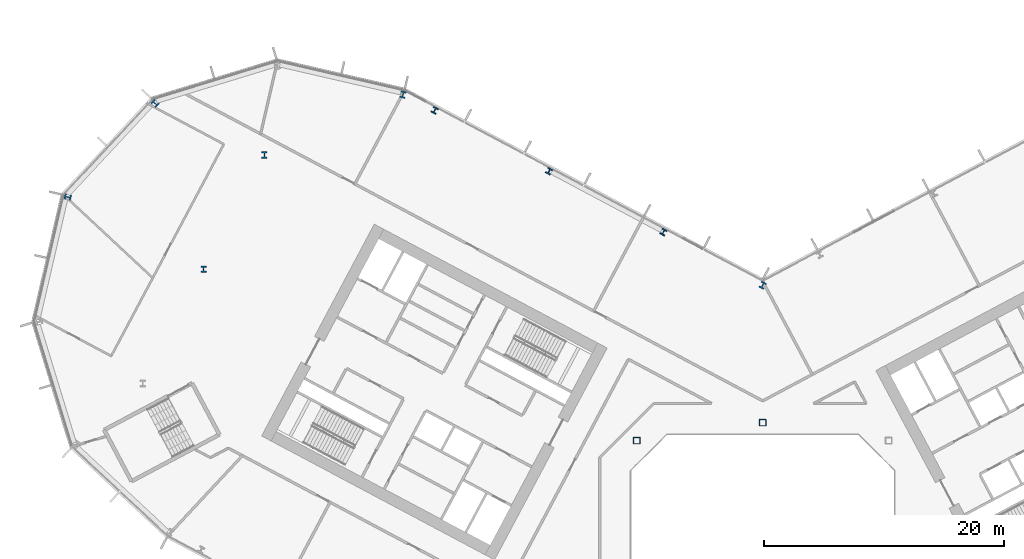
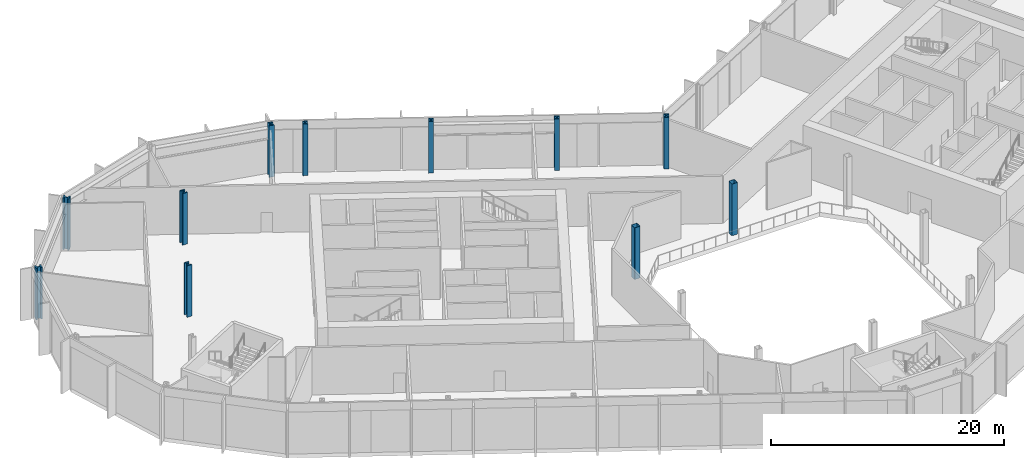
# One storey, part 2 of 32: 11 columns.
"""IFC4 building model written with IfcOpenShell, lengths in metres."""

from ifc_helpers import new_model, si_unit, direction, frame, origin, origin_2d, place, context, subcontext, project, spatial, hollow_rectangle, i_section, extrude, material, material_profile, profile_set, type_object, element, save


model = new_model("IFC4")

# Units and contexts
model_context = context("Model", 3, precision=1e-05, world=origin(), true_north=direction((0.0, 1.0)))
body_context = subcontext(model_context, "Body", "Model", "MODEL_VIEW")
ifc_project = project(units=[si_unit("LENGTHUNIT", "METRE"), si_unit("AREAUNIT", "SQUARE_METRE"), si_unit("VOLUMEUNIT", "CUBIC_METRE"), si_unit("PLANEANGLEUNIT", "RADIAN"), si_unit("MASSUNIT", "GRAM", prefix="KILO")], contexts=[model_context])

# Site, building, storey
site_placement = place(None, origin())
site = spatial("IfcSite", under=ifc_project, at=site_placement, CompositionType="ELEMENT")
building_placement = place(site_placement, origin())
building = spatial("IfcBuilding", under=site, at=building_placement, Name="Cormorant Relay Tower", CompositionType="ELEMENT")
storey_placement = place(building_placement, frame((0.0, 0.0, 39.199951171875)))
storey = spatial("IfcBuildingStorey", under=building, at=storey_placement, Name="L07", CompositionType="ELEMENT", Elevation=39.199951171875)

# Columns
ifc_material_1 = material(Name="Steel ASTM A1085 Grade A (Fy 345 MPa)", Category="steel")
ifc_material_profile_1 = material_profile(ifc_material_1, hollow_rectangle(XDim=0.558837890625, YDim=0.558837890625, WallThickness=0.023681640625, InnerFilletRadius=0.01171875, OuterFilletRadius=0.035400390625, at=origin_2d()), Name="HSS559x559x24")
ifc_profile_set_1 = profile_set([ifc_material_profile_1], Name="Steel ASTM A1085 Grade A (Fy 345 MPa)")
column_type_1 = type_object("IfcColumnType", Name="Column HSS559x559x24", PredefinedType="COLUMN", material=ifc_profile_set_1)
for number, where, z_axis, x_axis, name in (
    (1, (-10.5, 10.5, 0.0), (0.0, 0.0, 1.0), (1.0, 0.0, 0.0), "Column L07-022"),
    (2, (0.0, 12.0, 0.0), (0.0, 0.0, 1.0), (1.0, 0.0, 0.0), "Column L07-024"),
):
    element("IfcColumn", number, at=place(storey_placement, frame(where, z_axis=z_axis, x_axis=x_axis)), inside=storey, type_object=column_type_1, Name=name, PredefinedType="COLUMN", context=body_context, shape_type="SweptSolid", body=[
        extrude(hollow_rectangle(XDim=0.558837890625, YDim=0.558837890625, WallThickness=0.023681640625, InnerFilletRadius=0.01171875, OuterFilletRadius=0.035400390625, at=origin_2d()), origin(), (0.0, 0.0, 1.0), 5.400146484375),
    ])
ifc_material_2 = material(Name="Steel ASTM A992 (Fy 345 MPa)", Category="steel")
ifc_material_profile_2 = material_profile(ifc_material_2, i_section(OverallWidth=0.45458984375, OverallDepth=0.569091796875, WebThickness=0.077880859375, FlangeThickness=0.124755859375, FilletRadius=0.015380859375, at=origin_2d()), Name="W360x1086")
ifc_profile_set_2 = profile_set([ifc_material_profile_2], Name="Steel ASTM A992 (Fy 345 MPa)")
column_type_2 = type_object("IfcColumnType", Name="Column W360x1086", PredefinedType="COLUMN", material=ifc_profile_set_2)
for number, where, z_axis, x_axis, name in (
    (3, (0.0, 23.4541015625, 0.0), (0.0, 0.0, 1.0), (-0.882947592859, 0.469471562786, 0.0), "Column L07-032"),
    (4, (-46.6201171875, 24.7880859375, 0.0), (0.0, 0.0, 1.0), (1.0, 0.0, 0.0), "Column L07-034"),
    (5, (-57.93896484375, 30.806884765625, 0.0), (0.0, 0.0, 1.0), (-0.224951054344, -0.974370064785, 0.0), "Column L07-038"),
    (6, (-41.549072265625, 34.323974609375, 0.0), (0.0, 0.0, 1.0), (1.0, 0.0, 0.0), "Column L07-043"),
    (7, (-50.659912109375, 38.613037109375, 0.0), (0.0, 0.0, 1.0), (-0.681998360062, -0.731353701619, 0.0), "Column L07-047"),
    (8, (-29.992919921875, 39.35009765625, 0.0), (0.0, 0.0, 1.0), (-0.974370064785, 0.224951054344, 0.0), "Column L07-048"),
):
    element("IfcColumn", number, at=place(storey_placement, frame(where, z_axis=z_axis, x_axis=x_axis)), inside=storey, type_object=column_type_2, Name=name, PredefinedType="COLUMN", context=body_context, shape_type="SweptSolid", body=[
        extrude(i_section(OverallWidth=0.45458984375, OverallDepth=0.569091796875, WebThickness=0.077880859375, FlangeThickness=0.124755859375, FilletRadius=0.015380859375, at=origin_2d()), origin(), (0.0, 0.0, 1.0), 5.400146484375),
    ])
ifc_material_3 = material(Name="Steel ASTM A992 (Fy 345 MPa)", Category="steel")
ifc_material_profile_3 = material_profile(ifc_material_3, i_section(OverallWidth=0.43701171875, OverallDepth=0.51318359375, WebThickness=0.060546875, FlangeThickness=0.096923828125, FilletRadius=0.015380859375, at=origin_2d()), Name="W360x818")
ifc_profile_set_3 = profile_set([ifc_material_profile_3], Name="Steel ASTM A992 (Fy 345 MPa)")
column_type_3 = type_object("IfcColumnType", Name="Column W360x818", PredefinedType="COLUMN", material=ifc_profile_set_3)
for number, where, z_axis, x_axis, name in (
    (9, (-8.27490234375, 27.889892578125, 0.0), (0.0, 0.0, 1.0), (-0.882947592859, 0.469471562786, 0.0), "Column L07-036"),
    (10, (-17.81103515625, 32.9599609375, 0.0), (0.0, 0.0, 1.0), (-0.882947592859, 0.469471562786, 0.0), "Column L07-041"),
    (11, (-27.346923828125, 38.030029296875, 0.0), (0.0, 0.0, 1.0), (-0.882947592859, 0.469471562786, 0.0), "Column L07-046"),
):
    element("IfcColumn", number, at=place(storey_placement, frame(where, z_axis=z_axis, x_axis=x_axis)), inside=storey, type_object=column_type_3, Name=name, PredefinedType="COLUMN", context=body_context, shape_type="SweptSolid", body=[
        extrude(i_section(OverallWidth=0.43701171875, OverallDepth=0.51318359375, WebThickness=0.060546875, FlangeThickness=0.096923828125, FilletRadius=0.015380859375, at=origin_2d()), origin(), (0.0, 0.0, 1.0), 5.400146484375),
    ])

save(model, "model.ifc")
